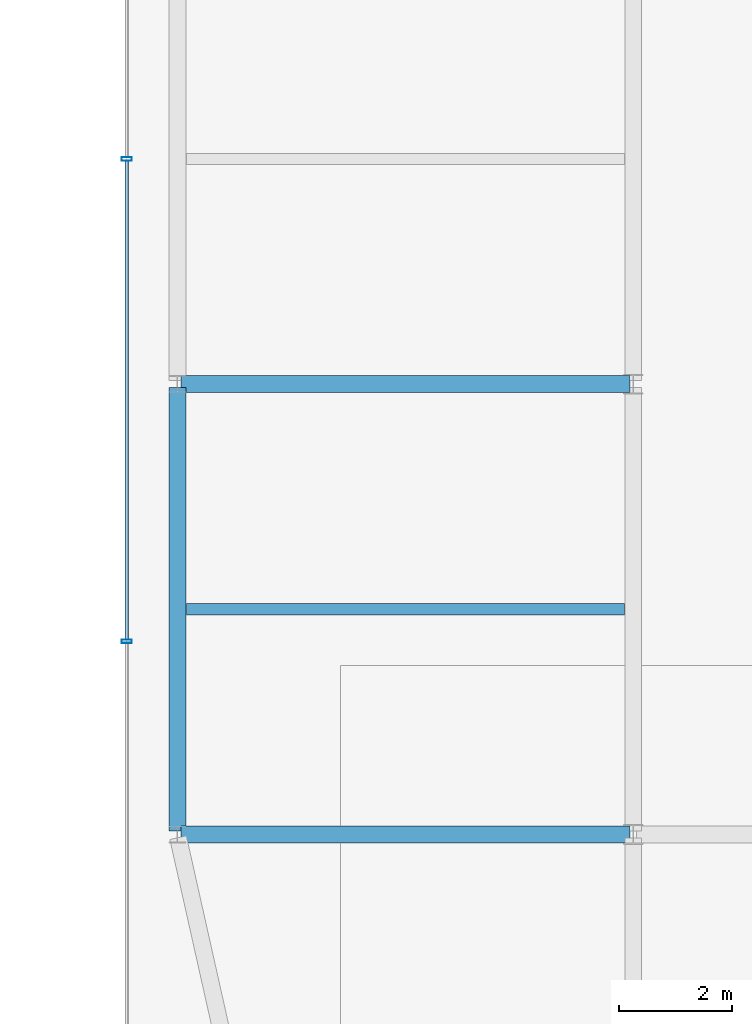
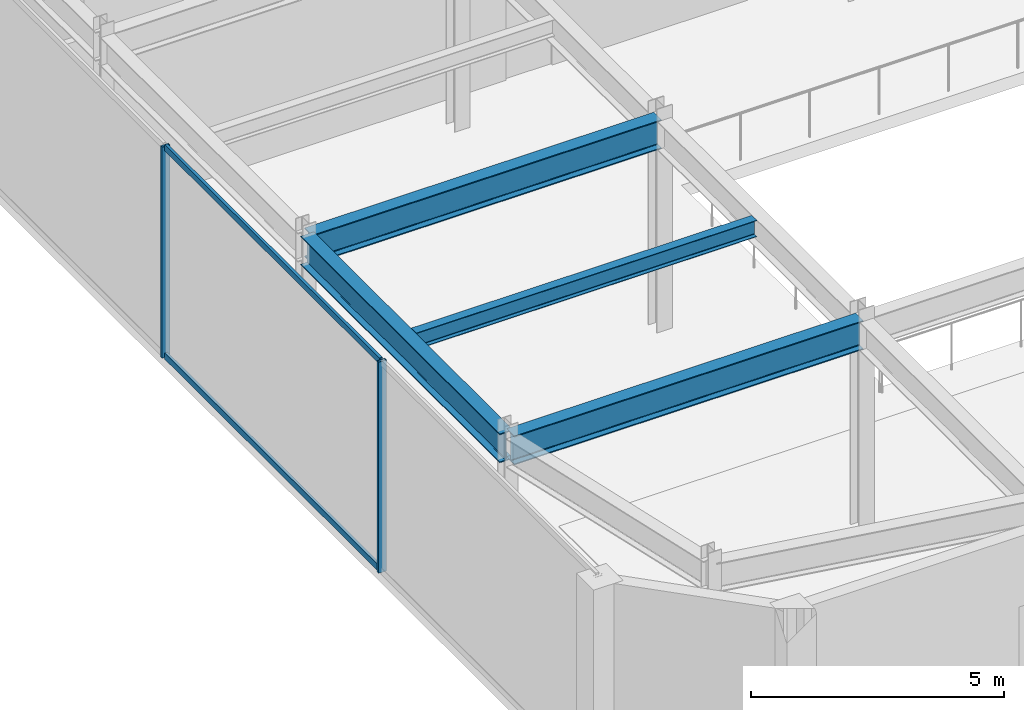
# One storey, part 34 of 52: 4 beams, 4 members, 1 element without a shape of its own.
"""IFC4 building model written with IfcOpenShell, lengths in metres."""

from ifc_helpers import new_model, si_unit, direction, frame, origin, origin_2d, place, context, subcontext, project, spatial, hollow_rectangle, i_section, extrude, material, material_profile, profile_set, type_object, element, aggregate, save


model = new_model("IFC4")

# Units and contexts
model_context = context("Model", 3, precision=1e-05, world=origin(), true_north=direction((0.0, 1.0)))
body_context = subcontext(model_context, "Body", "Model", "MODEL_VIEW")
ifc_project = project(units=[si_unit("LENGTHUNIT", "METRE"), si_unit("AREAUNIT", "SQUARE_METRE"), si_unit("VOLUMEUNIT", "CUBIC_METRE"), si_unit("PLANEANGLEUNIT", "RADIAN"), si_unit("MASSUNIT", "GRAM", prefix="KILO")], contexts=[model_context])

# Site, building, storey
site_placement = place(None, origin())
site = spatial("IfcSite", under=ifc_project, at=site_placement, CompositionType="ELEMENT")
building_placement = place(site_placement, origin())
building = spatial("IfcBuilding", under=site, at=building_placement, Name="Saevonmaru Cultural Tower", CompositionType="ELEMENT")
storey_placement = place(building_placement, frame((0.0, 0.0, 16.800048828125)))
storey = spatial("IfcBuildingStorey", under=building, at=storey_placement, Name="L03", CompositionType="ELEMENT", Elevation=16.800048828125)

# Beams
ifc_material_1 = material(Name="Steel SM355", Category="steel")
ifc_material_profile_1 = material_profile(ifc_material_1, i_section(OverallWidth=0.300048828125, OverallDepth=0.699951171875, WebThickness=0.012939453125, FlangeThickness=0.02392578125, FilletRadius=0.02587890625, at=origin_2d()), Name="H-700x300x13x24")
ifc_profile_set_1 = profile_set([ifc_material_profile_1], Name="Steel SM355")
beam_type_1 = type_object("IfcBeamType", Name="BM-G-H700", PredefinedType="BEAM", material=ifc_profile_set_1)
for number, where, z_axis, x_axis, name in (
    (1, (73.159912109375, 16.0, 4.75), (1.0, 0.0, 0.0), (0.0, 1.0, 0.0), "L03 Library Girder EW-2-1"),
    (2, (73.159912109375, 24.0, 4.75), (1.0, 0.0, 0.0), (0.0, 1.0, 0.0), "L03 Library Girder EW-3-1"),
):
    element("IfcBeam", number, at=place(storey_placement, frame(where, z_axis=z_axis, x_axis=x_axis)), inside=storey, type_object=beam_type_1, Name=name, PredefinedType="BEAM", context=body_context, shape_type="SweptSolid", body=[
        extrude(i_section(OverallWidth=0.300048828125, OverallDepth=0.699951171875, WebThickness=0.012939453125, FlangeThickness=0.02392578125, FilletRadius=0.02587890625, at=origin_2d()), origin(), (0.0, 0.0, 1.0), 7.97998046875),
    ])
beam_1_placement = place(storey_placement, frame((73.10009765625, 16.06005859375, 4.75), z_axis=(0.0, 1.0, 0.0), x_axis=(-1.0, 0.0, 0.0)))
element("IfcBeam", 3, at=beam_1_placement, inside=storey, type_object=beam_type_1, Name="L03 Library Girder NS-1-2", PredefinedType="BEAM", context=body_context, shape_type="SweptSolid", body=[
    extrude(i_section(OverallWidth=0.300048828125, OverallDepth=0.699951171875, WebThickness=0.012939453125, FlangeThickness=0.02392578125, FilletRadius=0.02587890625, at=origin_2d()), origin(), (0.0, 0.0, 1.0), 7.8798828125),
])
ifc_material_profile_2 = material_profile(ifc_material_1, i_section(OverallWidth=0.199951171875, OverallDepth=0.39990234375, WebThickness=0.008056640625, FlangeThickness=0.012939453125, FilletRadius=0.01611328125, at=origin_2d()), Name="H-400x200x8x13")
ifc_profile_set_2 = profile_set([ifc_material_profile_2], Name="Steel SM355")
beam_type_2 = type_object("IfcBeamType", Name="BM-J-H400", PredefinedType="JOIST", material=ifc_profile_set_2)
beam_2_placement = place(storey_placement, frame((73.258056640625, 20.0, 4.89990234375), z_axis=(1.0, 0.0, 0.0), x_axis=(0.0, 1.0, 0.0)))
element("IfcBeam", 4, at=beam_2_placement, inside=storey, type_object=beam_type_2, Name="L03 Library Joist J-2-1", PredefinedType="JOIST", context=body_context, shape_type="SweptSolid", body=[
    extrude(i_section(OverallWidth=0.199951171875, OverallDepth=0.39990234375, WebThickness=0.008056640625, FlangeThickness=0.012939453125, FilletRadius=0.01611328125, at=origin_2d()), origin(), (0.0, 0.0, 1.0), 7.783935546875),
])

# Curtain wall, members
ifc_material_2 = material(Name="Satin Bronze Anodised Aluminium", Category="aluminium")
curtain_wall_type = type_object("IfcCurtainWallType", Name="CW-LIB-GLZ", PredefinedType="NOTDEFINED", material=ifc_material_2)
curtain_wall_placement = place(storey_placement, origin())
curtain_wall = element("IfcCurtainWall", 5, at=curtain_wall_placement, inside=storey, type_object=curtain_wall_type, Name="L03 Central Library Reading Hall Curtain Wall 8", PredefinedType="NOTDEFINED")
ifc_material_profile_3 = material_profile(ifc_material_2, hollow_rectangle(XDim=0.06494140625, YDim=0.179931640625, WallThickness=0.00390625, at=origin_2d()), Name="ALU-MULL-180x65x4")
ifc_profile_set_3 = profile_set([ifc_material_profile_3], Name="Satin Bronze Anodised Aluminium")
member_type_1 = type_object("IfcMemberType", Name="ML-CW-180x65", PredefinedType="MULLION", material=ifc_profile_set_3)
member_1_placement = place(storey_placement, frame((72.199951171875, 28.0, 0.0), z_axis=(0.0, 0.0, 1.0), x_axis=(0.0, -1.0, 0.0)))
member_1 = element("IfcMember", 6, at=member_1_placement, type_object=member_type_1, Name="CW-LIB-8-L03 mullion 3", PredefinedType="MULLION", context=body_context, shape_type="SweptSolid", body=[
    extrude(hollow_rectangle(XDim=0.06494140625, YDim=0.179931640625, WallThickness=0.00390625, at=origin_2d()), origin(), (0.0, 0.0, 1.0), 5.099853515625),
])
member_2_placement = place(storey_placement, frame((72.199951171875, 19.429931640625, 0.0), z_axis=(0.0, 0.0, 1.0), x_axis=(0.0, -1.0, 0.0)))
member_2 = element("IfcMember", 7, at=member_2_placement, type_object=member_type_1, Name="CW-LIB-8-L03 mullion 4", PredefinedType="MULLION", context=body_context, shape_type="SweptSolid", body=[
    extrude(hollow_rectangle(XDim=0.06494140625, YDim=0.179931640625, WallThickness=0.00390625, at=origin_2d()), origin(), (0.0, 0.0, 1.0), 5.099853515625),
])
ifc_material_profile_4 = material_profile(ifc_material_2, hollow_rectangle(XDim=0.06494140625, YDim=0.14990234375, WallThickness=0.00390625, at=origin_2d()), Name="ALU-TRAN-150x65x4")
ifc_profile_set_4 = profile_set([ifc_material_profile_4], Name="Satin Bronze Anodised Aluminium")
member_type_2 = type_object("IfcMemberType", Name="TR-CW-150x65", PredefinedType="USERDEFINED", material=ifc_profile_set_4)
member_3_placement = place(storey_placement, frame((72.199951171875, 27.967529296875, 0.032470703125), z_axis=(0.0, -1.0, 0.0), x_axis=(1.0, 0.0, 0.0)))
member_3 = element("IfcMember", 8, at=member_3_placement, type_object=member_type_2, Name="CW-LIB-8-L03 transom 3.1", ObjectType="TRANSOM", PredefinedType="USERDEFINED", context=body_context, shape_type="SweptSolid", body=[
    extrude(hollow_rectangle(XDim=0.06494140625, YDim=0.14990234375, WallThickness=0.00390625, at=origin_2d()), origin(), (0.0, 0.0, 1.0), 8.505126953125),
])
member_4_placement = place(storey_placement, frame((72.199951171875, 27.967529296875, 5.0673828125), z_axis=(0.0, -1.0, 0.0), x_axis=(1.0, 0.0, 0.0)))
member_4 = element("IfcMember", 9, at=member_4_placement, type_object=member_type_2, Name="CW-LIB-8-L03 transom 3.2", ObjectType="TRANSOM", PredefinedType="USERDEFINED", context=body_context, shape_type="SweptSolid", body=[
    extrude(hollow_rectangle(XDim=0.06494140625, YDim=0.14990234375, WallThickness=0.00390625, at=origin_2d()), origin(), (0.0, 0.0, 1.0), 8.505126953125),
])
aggregate(curtain_wall, [member_1, member_2, member_3, member_4])

save(model, "model.ifc")
